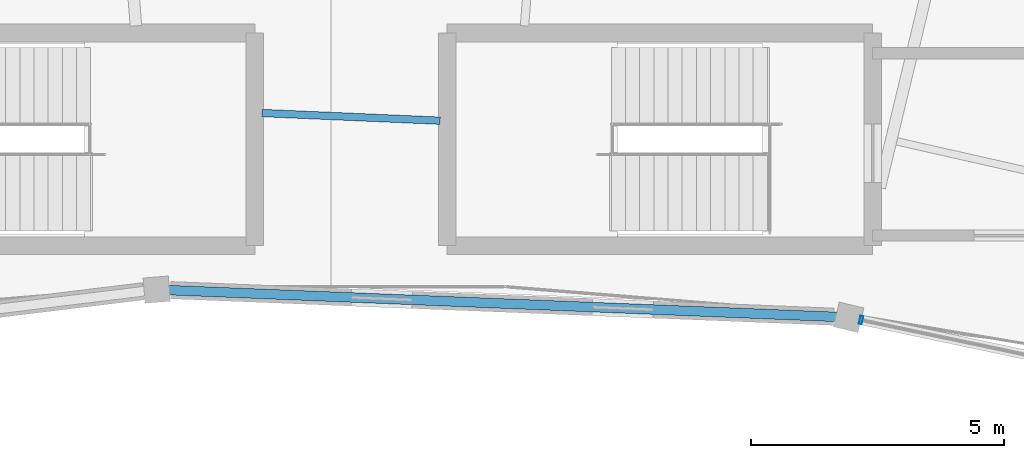
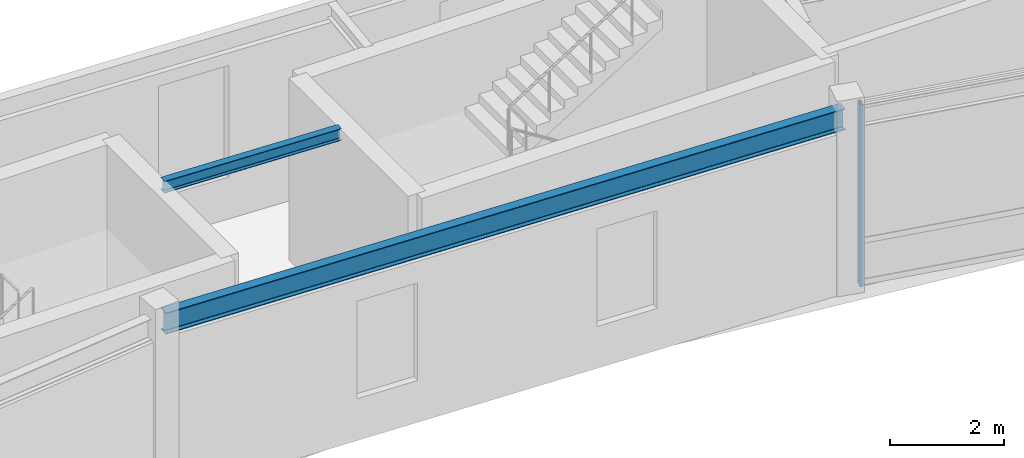
# One storey, part 39 of 78: 2 beams, 1 member, 1 element without a shape of its own.
"""IFC4 building model written with IfcOpenShell, lengths in metres."""

from ifc_helpers import new_model, si_unit, direction, frame, origin, origin_2d, place, context, subcontext, project, spatial, hollow_rectangle, i_section, extrude, material, material_profile, profile_set, type_object, element, aggregate, save


model = new_model("IFC4")

# Units and contexts
model_context = context("Model", 3, precision=1e-05, world=origin(), true_north=direction((0.0, 1.0)))
body_context = subcontext(model_context, "Body", "Model", "MODEL_VIEW")
ifc_project = project(units=[si_unit("LENGTHUNIT", "METRE"), si_unit("AREAUNIT", "SQUARE_METRE"), si_unit("VOLUMEUNIT", "CUBIC_METRE"), si_unit("PLANEANGLEUNIT", "RADIAN"), si_unit("MASSUNIT", "GRAM", prefix="KILO"), si_unit("THERMODYNAMICTEMPERATUREUNIT", "KELVIN"), si_unit("POWERUNIT", "WATT")], contexts=[model_context])

# Site, building, storey
site_placement = place(None, origin())
site = spatial("IfcSite", under=ifc_project, at=site_placement, CompositionType="ELEMENT")
building_placement = place(site_placement, origin())
building = spatial("IfcBuilding", under=site, at=building_placement, Name="Darbajah Civic Hall", CompositionType="ELEMENT")
storey_placement = place(building_placement, frame((0.0, 0.0, 26.39990234375)))
storey = spatial("IfcBuildingStorey", under=building, at=storey_placement, Name="L06", CompositionType="ELEMENT", Elevation=26.39990234375)

# Curtain wall, member
ifc_material_1 = material(Name="Anodised Bronze Aluminium and Low-E Glazing", Category="aluminium")
curtain_wall_type = type_object("IfcCurtainWallType", Name="Unitised Curtain Wall CW-65 12400x3900", PredefinedType="USERDEFINED", material=ifc_material_1)
curtain_wall_placement = place(storey_placement, origin())
curtain_wall = element("IfcCurtainWall", 1, at=curtain_wall_placement, inside=storey, type_object=curtain_wall_type, Name="L06 unitised curtain wall CW-V1I-L06-03", ObjectType="UNITISED CURTAIN WALL", PredefinedType="USERDEFINED")
ifc_material_2 = material(Name="Anodised Bronze Aluminium", Category="aluminium")
ifc_material_profile_1 = material_profile(ifc_material_2, hollow_rectangle(XDim=0.06005859375, YDim=0.159912109375, WallThickness=0.00341796875, at=origin_2d()), Name="ALU MULLION 60x160")
ifc_profile_set_1 = profile_set([ifc_material_profile_1], Name="Anodised Bronze Aluminium")
member_type = type_object("IfcMemberType", Name="ALU MULLION 60x160", PredefinedType="MULLION", material=ifc_profile_set_1)
member_placement = place(storey_placement, frame((99.571533203125, 111.431884765625, 0.0), z_axis=(0.0, 0.0, 1.0), x_axis=(-0.978472980779, 0.206374964291, 0.0)))
member = element("IfcMember", 2, at=member_placement, type_object=member_type, Name="CW-V1I-L06-03 mullion 4", PredefinedType="MULLION", context=body_context, shape_type="SweptSolid", body=[
    extrude(hollow_rectangle(XDim=0.06005859375, YDim=0.159912109375, WallThickness=0.00341796875, at=origin_2d()), origin(), (0.0, 0.0, 1.0), 3.920166015625),
])
aggregate(curtain_wall, [member])

# Beams
ifc_material_3 = material(Name="Steel S355JR", Category="steel")
ifc_material_profile_2 = material_profile(ifc_material_3, i_section(OverallWidth=0.146484375, OverallDepth=0.256103515625, WebThickness=0.00634765625, FlangeThickness=0.010986328125, FilletRadius=0.007568359375, at=origin_2d()), Name="UB 254x146x37")
ifc_profile_set_2 = profile_set([ifc_material_profile_2], Name="Steel S355JR")
beam_type_1 = type_object("IfcBeamType", Name="UB 254x146x37", PredefinedType="JOIST", material=ifc_profile_set_2)
beam_1_placement = place(storey_placement, frame((91.260009765625, 115.3671875, 3.7919921875), z_axis=(-0.999073726109, 0.043031265357, 0.0), x_axis=(-0.043031265357, -0.999073726109, 0.0)))
element("IfcBeam", 3, at=beam_1_placement, inside=storey, type_object=beam_type_1, Name="L06 beam SJ-254", PredefinedType="JOIST", context=body_context, shape_type="SweptSolid", body=[
    extrude(i_section(OverallWidth=0.146484375, OverallDepth=0.256103515625, WebThickness=0.00634765625, FlangeThickness=0.010986328125, FilletRadius=0.007568359375, at=origin_2d()), origin(), (0.0, 0.0, 1.0), 3.523193359375),
])
ifc_material_profile_3 = material_profile(ifc_material_3, i_section(OverallWidth=0.1904296875, OverallDepth=0.45703125, WebThickness=0.009033203125, FlangeThickness=0.014404296875, FilletRadius=0.01025390625, at=origin_2d()), Name="UB 457x191x74")
ifc_profile_set_3 = profile_set([ifc_material_profile_3], Name="Steel S355JR")
beam_type_2 = type_object("IfcBeamType", Name="UB 457x191x74", PredefinedType="BEAM", material=ifc_profile_set_3)
beam_2_placement = place(storey_placement, frame((99.2451171875, 111.487060546875, 3.691650390625), z_axis=(-0.999198156642, 0.040038028952, 0.0), x_axis=(-0.040038028952, -0.999198156642, 0.0)))
element("IfcBeam", 4, at=beam_2_placement, inside=storey, type_object=beam_type_2, Name="L06 beam SB-457", PredefinedType="BEAM", context=body_context, shape_type="SweptSolid", body=[
    extrude(i_section(OverallWidth=0.1904296875, OverallDepth=0.45703125, WebThickness=0.009033203125, FlangeThickness=0.014404296875, FilletRadius=0.01025390625, at=origin_2d()), origin(), (0.0, 0.0, 1.0), 13.512451171875),
])

save(model, "model.ifc")
